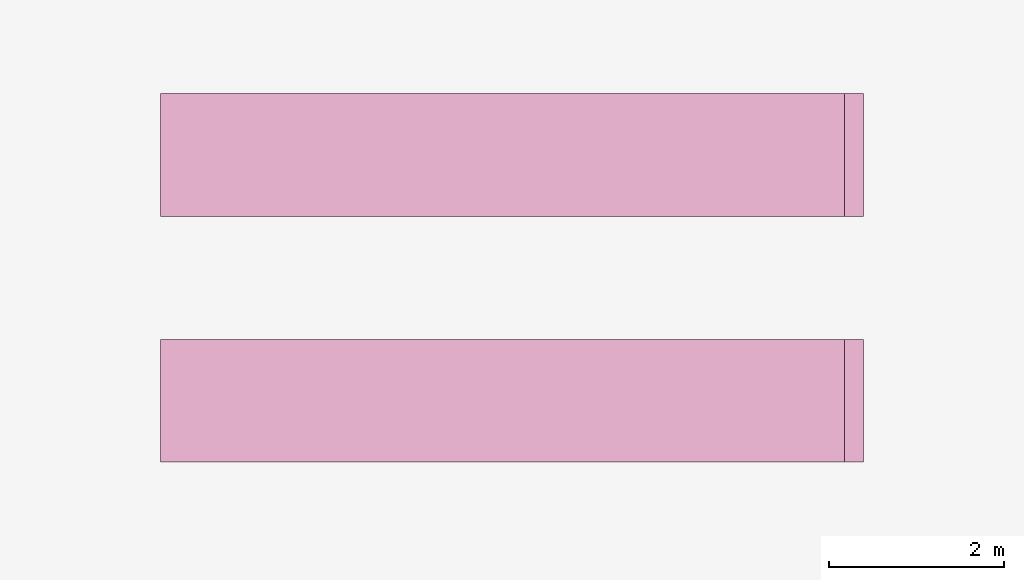
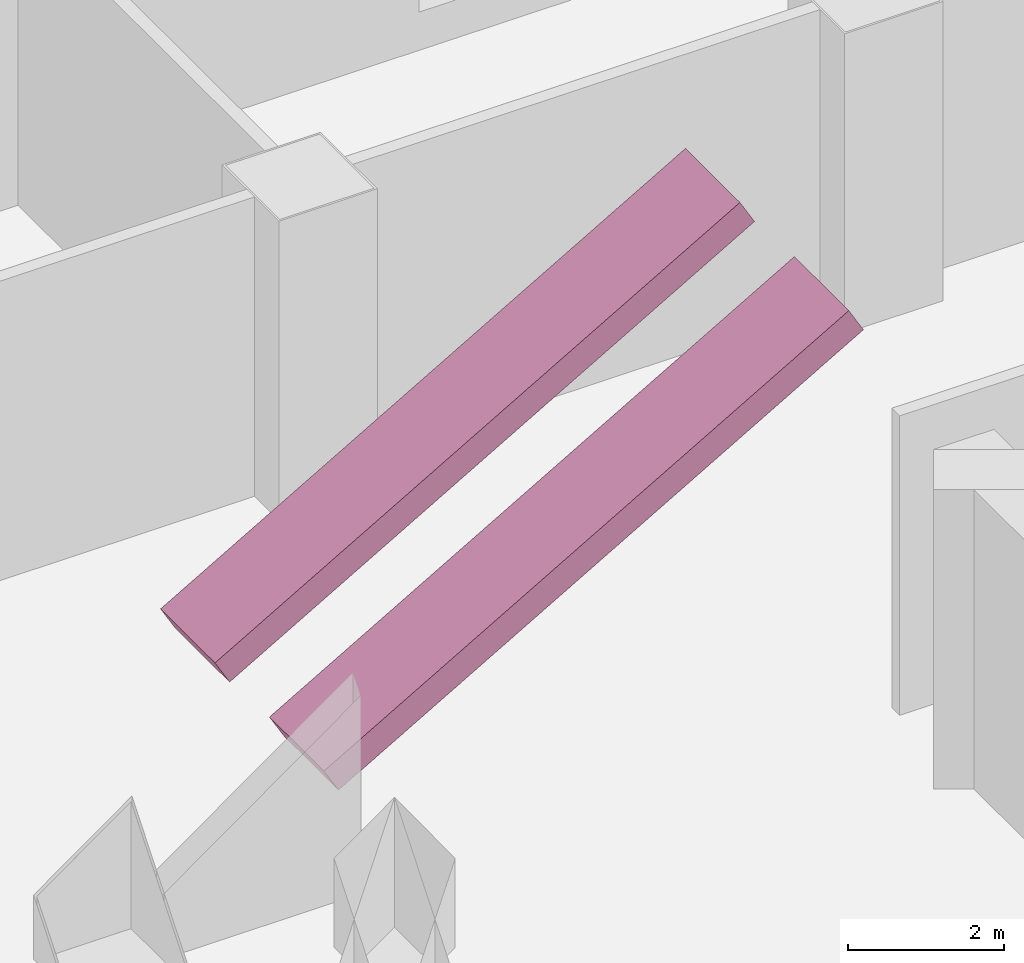
# One storey, part 19 of 19: 2 transport elements.
"""IFC4 building model written with IfcOpenShell, lengths in metres."""

from ifc_helpers import new_model, si_unit, direction, frame, origin, place, context, subcontext, project, spatial, polyline, outline, extrude, material, type_object, element, save


model = new_model("IFC4")

# Units and contexts
model_context = context("Model", 3, precision=1e-05, world=origin(), true_north=direction((0.0, 1.0)))
body_context = subcontext(model_context, "Body", "Model", "MODEL_VIEW")
ifc_project = project(units=[si_unit("LENGTHUNIT", "METRE"), si_unit("AREAUNIT", "SQUARE_METRE"), si_unit("VOLUMEUNIT", "CUBIC_METRE"), si_unit("PLANEANGLEUNIT", "RADIAN"), si_unit("MASSUNIT", "GRAM", prefix="KILO")], contexts=[model_context])

# Site, building, storey
site_placement = place(None, origin())
site = spatial("IfcSite", under=ifc_project, at=site_placement, CompositionType="ELEMENT")
building_placement = place(site_placement, origin())
building = spatial("IfcBuilding", under=site, at=building_placement, Name="Cantera Rosa Tower", CompositionType="ELEMENT")
storey_placement = place(building_placement, frame((0.0, 0.0, 12.0)))
storey = spatial("IfcBuildingStorey", under=building, at=storey_placement, Name="L01", CompositionType="ELEMENT", Elevation=12.0)

# Transport elements
ifc_material = material(Name="Stainless steel", Category="steel")
transport_element_type = type_object("IfcTransportElementType", Name="Escalator 1400", PredefinedType="ESCALATOR", material=ifc_material)
for number, where, z_axis, x_axis, name in (
    (1, (-3.394287109375, 14.5, 0.5), (-0.5000018851, 0.0, 0.866024315419), (0.866024315419, 0.0, 0.5000018851), "Escalator A up"),
    (2, (-3.394287109375, 17.300048828125, 0.5), (-0.5000018851, 0.0, 0.866024315419), (0.866024315419, 0.0, 0.5000018851), "Escalator A down"),
):
    element("IfcTransportElement", number, at=place(storey_placement, frame(where, z_axis=z_axis, x_axis=x_axis)), inside=storey, type_object=transport_element_type, Name=name, PredefinedType="ESCALATOR", context=body_context, shape_type="SweptSolid", body=[
        extrude(outline(polyline([(0.0, 0.0), (8.999966068336313, 0.0), (8.999966068336313, 1.39990234375), (0.0, 1.39990234375), (0.0, 0.0)])), origin(), (0.0, 0.0, -1.0), 0.43310546875),
    ])

save(model, "model.ifc")
